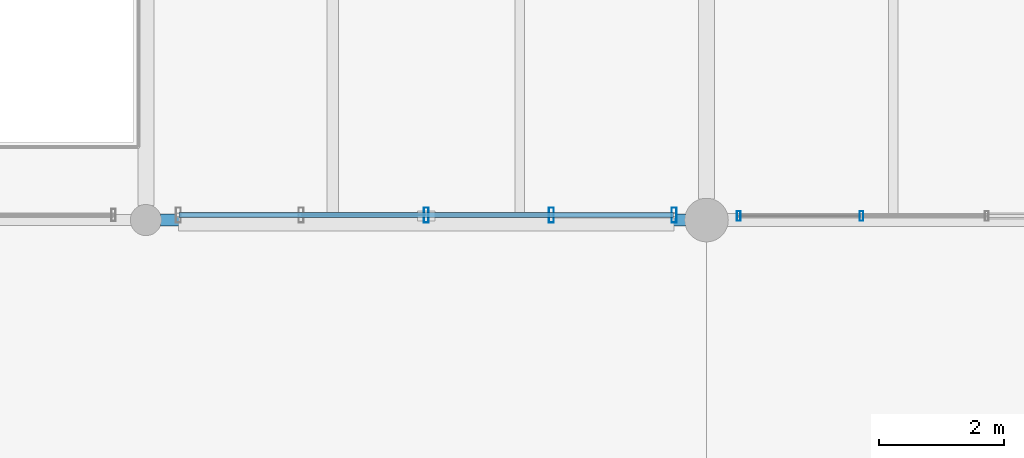
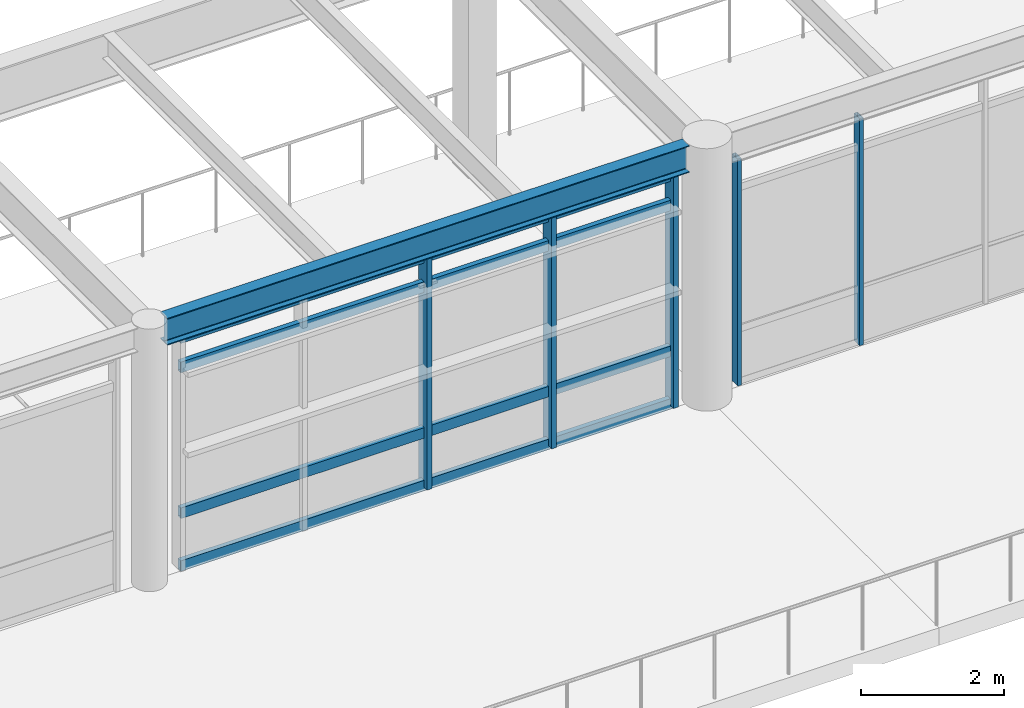
# One storey, part 46 of 200: 9 members, 1 beam, 2 elements without a shape of their own.
"""IFC4 building model written with IfcOpenShell, lengths in metres."""

from ifc_helpers import new_model, si_unit, direction, frame, origin, origin_2d, place, context, subcontext, project, spatial, hollow_rectangle, i_section, extrude, material, material_profile, profile_set, type_object, element, aggregate, save


model = new_model("IFC4")

# Units and contexts
model_context = context("Model", 3, precision=1e-05, world=origin(), true_north=direction((0.0, 1.0)))
body_context = subcontext(model_context, "Body", "Model", "MODEL_VIEW")
ifc_project = project(units=[si_unit("LENGTHUNIT", "METRE"), si_unit("AREAUNIT", "SQUARE_METRE"), si_unit("VOLUMEUNIT", "CUBIC_METRE"), si_unit("PLANEANGLEUNIT", "RADIAN"), si_unit("MASSUNIT", "GRAM", prefix="KILO"), si_unit("THERMODYNAMICTEMPERATUREUNIT", "KELVIN"), si_unit("POWERUNIT", "WATT")], contexts=[model_context])

# Site, building, storey
site_placement = place(None, origin())
site = spatial("IfcSite", under=ifc_project, at=site_placement, CompositionType="ELEMENT")
building_placement = place(site_placement, origin())
building = spatial("IfcBuilding", under=site, at=building_placement, Name="Tepalcoro Natatorium and Aquatics Centre", CompositionType="ELEMENT")
storey_placement = place(building_placement, frame((0.0, 0.0, 5.39990234375)))
storey = spatial("IfcBuildingStorey", under=building, at=storey_placement, Name="L01", CompositionType="ELEMENT", Elevation=5.39990234375)

# Curtain wall, members
ifc_material_1 = material(Name="Bronze-Anodised Extruded Aluminium Alloy EN AW-6063 T6", Category="aluminium")
curtain_wall_type_1 = type_object("IfcCurtainWallType", Name="CW_LEAN_T1_NS", PredefinedType="USERDEFINED", material=ifc_material_1)
curtain_wall_1_placement = place(storey_placement, origin())
curtain_wall_1 = element("IfcCurtainWall", 1, at=curtain_wall_1_placement, inside=storey, type_object=curtain_wall_type_1, Name="V1 L01 S Unitised Curtain Wall Bay 6", ObjectType="FACETED SOLAR GLAZING", PredefinedType="USERDEFINED")
ifc_material_profile_1 = material_profile(ifc_material_1, hollow_rectangle(XDim=0.06005859375, YDim=0.159912109375, WallThickness=0.00390625, at=origin_2d()), Name="AL60X160X4")
ifc_profile_set_1 = profile_set([ifc_material_profile_1], Name="Bronze-Anodised Extruded Aluminium Alloy EN AW-6063 T6")
member_type_1 = type_object("IfcMemberType", Name="CW_MUL_60x160", PredefinedType="MULLION", material=ifc_profile_set_1)
member_1_placement = place(storey_placement, frame((89.52001953125, 6.56494140625, 0.02001953125), z_axis=(0.0, 0.0, 1.0), x_axis=(1.0, 0.0, 0.0)))
member_1 = element("IfcMember", 2, at=member_1_placement, type_object=member_type_1, Name="CW_LEAN_T1_NS Curtain Wall Mullion", PredefinedType="MULLION", context=body_context, shape_type="SweptSolid", body=[
    extrude(hollow_rectangle(XDim=0.06005859375, YDim=0.159912109375, WallThickness=0.00390625, at=origin_2d()), origin(), (0.0, 0.0, 1.0), 3.8740234375),
])
member_2_placement = place(storey_placement, frame((91.489990234375, 6.56494140625, 0.02001953125), z_axis=(0.0, 0.0, 1.0), x_axis=(1.0, 0.0, 0.0)))
member_2 = element("IfcMember", 3, at=member_2_placement, type_object=member_type_1, Name="CW_LEAN_T1_NS Curtain Wall Mullion", PredefinedType="MULLION", context=body_context, shape_type="SweptSolid", body=[
    extrude(hollow_rectangle(XDim=0.06005859375, YDim=0.159912109375, WallThickness=0.00390625, at=origin_2d()), origin(), (0.0, 0.0, 1.0), 3.8740234375),
])
aggregate(curtain_wall_1, [member_1, member_2])

curtain_wall_type_2 = type_object("IfcCurtainWallType", Name="CW_V5_UPPER", PredefinedType="USERDEFINED", material=ifc_material_1)
curtain_wall_2_placement = place(storey_placement, origin())
curtain_wall_2 = element("IfcCurtainWall", 4, at=curtain_wall_2_placement, inside=storey, type_object=curtain_wall_type_2, Name="V1 L01 S Unitised Curtain Wall Bay 5", ObjectType="FACETED SOLAR GLAZING", PredefinedType="USERDEFINED")
ifc_material_profile_2 = material_profile(ifc_material_1, hollow_rectangle(XDim=0.080078125, YDim=0.239990234375, WallThickness=0.0048828125, at=origin_2d()), Name="AL80X240X5")
ifc_profile_set_2 = profile_set([ifc_material_profile_2], Name="Bronze-Anodised Extruded Aluminium Alloy EN AW-6063 T6")
member_type_2 = type_object("IfcMemberType", Name="CW_MUL_80x240", PredefinedType="MULLION", material=ifc_profile_set_2)
member_3_placement = place(storey_placement, frame((84.5, 6.580078125, 0.02001953125), z_axis=(0.0, 0.0, 1.0), x_axis=(1.0, 0.0, 0.0)))
member_3 = element("IfcMember", 5, at=member_3_placement, type_object=member_type_2, Name="CW_V5_UPPER Curtain Wall Mullion", PredefinedType="MULLION", context=body_context, shape_type="SweptSolid", body=[
    extrude(hollow_rectangle(XDim=0.080078125, YDim=0.239990234375, WallThickness=0.0048828125, at=origin_2d()), origin(), (0.0, 0.0, 1.0), 3.9501953125),
])
member_4_placement = place(storey_placement, frame((86.510009765625, 6.580078125, 0.02001953125), z_axis=(0.0, 0.0, 1.0), x_axis=(1.0, 0.0, 0.0)))
member_4 = element("IfcMember", 6, at=member_4_placement, type_object=member_type_2, Name="CW_V5_UPPER Curtain Wall Mullion", PredefinedType="MULLION", context=body_context, shape_type="SweptSolid", body=[
    extrude(hollow_rectangle(XDim=0.080078125, YDim=0.239990234375, WallThickness=0.0048828125, at=origin_2d()), origin(), (0.0, 0.0, 1.0), 3.9501953125),
])
member_5_placement = place(storey_placement, frame((88.47998046875, 6.580078125, 0.02001953125), z_axis=(0.0, 0.0, 1.0), x_axis=(1.0, 0.0, 0.0)))
member_5 = element("IfcMember", 7, at=member_5_placement, type_object=member_type_2, Name="CW_V5_UPPER Curtain Wall Mullion", PredefinedType="MULLION", context=body_context, shape_type="SweptSolid", body=[
    extrude(hollow_rectangle(XDim=0.080078125, YDim=0.239990234375, WallThickness=0.0048828125, at=origin_2d()), origin(), (0.0, 0.0, 1.0), 3.9501953125),
])
ifc_material_profile_3 = material_profile(ifc_material_1, hollow_rectangle(XDim=0.080078125, YDim=0.179931640625, WallThickness=0.0048828125, at=origin_2d()), Name="AL80X180X5")
ifc_profile_set_3 = profile_set([ifc_material_profile_3], Name="Bronze-Anodised Extruded Aluminium Alloy EN AW-6063 T6")
member_type_3 = type_object("IfcMemberType", Name="CW_TRN_80x180", PredefinedType="USERDEFINED", material=ifc_profile_set_3)
member_6_placement = place(storey_placement, frame((80.530029296875, 6.580078125, 0.050048828125), z_axis=(1.0, 0.0, 0.0), x_axis=(0.0, 1.0, 0.0)))
member_6 = element("IfcMember", 8, at=member_6_placement, type_object=member_type_3, Name="CW_V5_UPPER Curtain Wall Transom", ObjectType="TRANSOM", PredefinedType="USERDEFINED", context=body_context, shape_type="SweptSolid", body=[
    extrude(hollow_rectangle(XDim=0.080078125, YDim=0.179931640625, WallThickness=0.0048828125, at=origin_2d()), origin(), (0.0, 0.0, 1.0), 7.93994140625),
])
member_7_placement = place(storey_placement, frame((80.530029296875, 6.580078125, 0.9501953125), z_axis=(1.0, 0.0, 0.0), x_axis=(0.0, 1.0, 0.0)))
member_7 = element("IfcMember", 9, at=member_7_placement, type_object=member_type_3, Name="CW_V5_UPPER Curtain Wall Transom", ObjectType="TRANSOM", PredefinedType="USERDEFINED", context=body_context, shape_type="SweptSolid", body=[
    extrude(hollow_rectangle(XDim=0.080078125, YDim=0.179931640625, WallThickness=0.0048828125, at=origin_2d()), origin(), (0.0, 0.0, 1.0), 7.93994140625),
])
member_8_placement = place(storey_placement, frame((80.530029296875, 6.580078125, 3.440185546875), z_axis=(1.0, 0.0, 0.0), x_axis=(0.0, 1.0, 0.0)))
member_8 = element("IfcMember", 10, at=member_8_placement, type_object=member_type_3, Name="CW_V5_UPPER Curtain Wall Transom", ObjectType="TRANSOM", PredefinedType="USERDEFINED", context=body_context, shape_type="SweptSolid", body=[
    extrude(hollow_rectangle(XDim=0.080078125, YDim=0.179931640625, WallThickness=0.0048828125, at=origin_2d()), origin(), (0.0, 0.0, 1.0), 7.93994140625),
])
member_9_placement = place(storey_placement, frame((80.530029296875, 6.580078125, 3.940185546875), z_axis=(1.0, 0.0, 0.0), x_axis=(0.0, 1.0, 0.0)))
member_9 = element("IfcMember", 11, at=member_9_placement, type_object=member_type_3, Name="CW_V5_UPPER Curtain Wall Transom", ObjectType="TRANSOM", PredefinedType="USERDEFINED", context=body_context, shape_type="SweptSolid", body=[
    extrude(hollow_rectangle(XDim=0.080078125, YDim=0.179931640625, WallThickness=0.0048828125, at=origin_2d()), origin(), (0.0, 0.0, 1.0), 7.93994140625),
])
aggregate(curtain_wall_2, [member_3, member_4, member_5, member_6, member_7, member_8, member_9])

# Beam
ifc_material_2 = material(Name="Steel ASTM A992 Grade 50 (Fy 345 MPa)", Category="steel")
ifc_material_profile_4 = material_profile(ifc_material_2, i_section(OverallWidth=0.19091796875, OverallDepth=0.4599609375, WebThickness=0.010009765625, FlangeThickness=0.01611328125, FilletRadius=0.013916015625, at=origin_2d()), Name="W18X55")
ifc_profile_set_4 = profile_set([ifc_material_profile_4], Name="Steel ASTM A992 Grade 50 (Fy 345 MPa)")
beam_type = type_object("IfcBeamType", Name="SP_W18x55", PredefinedType="SPANDREL", material=ifc_profile_set_4)
beam_placement = place(storey_placement, frame((80.235107421875, 6.5, 4.235107421875), z_axis=(1.0, 0.0, 0.0), x_axis=(0.0, 1.0, 0.0)))
element("IfcBeam", 12, at=beam_placement, inside=storey, type_object=beam_type, Name="V1 L01 Grid Girder X", PredefinedType="SPANDREL", context=body_context, shape_type="SweptSolid", body=[
    extrude(i_section(OverallWidth=0.19091796875, OverallDepth=0.4599609375, WebThickness=0.010009765625, FlangeThickness=0.01611328125, FilletRadius=0.013916015625, at=origin_2d()), origin(), (0.0, 0.0, 1.0), 8.429931640625),
])

save(model, "model.ifc")
